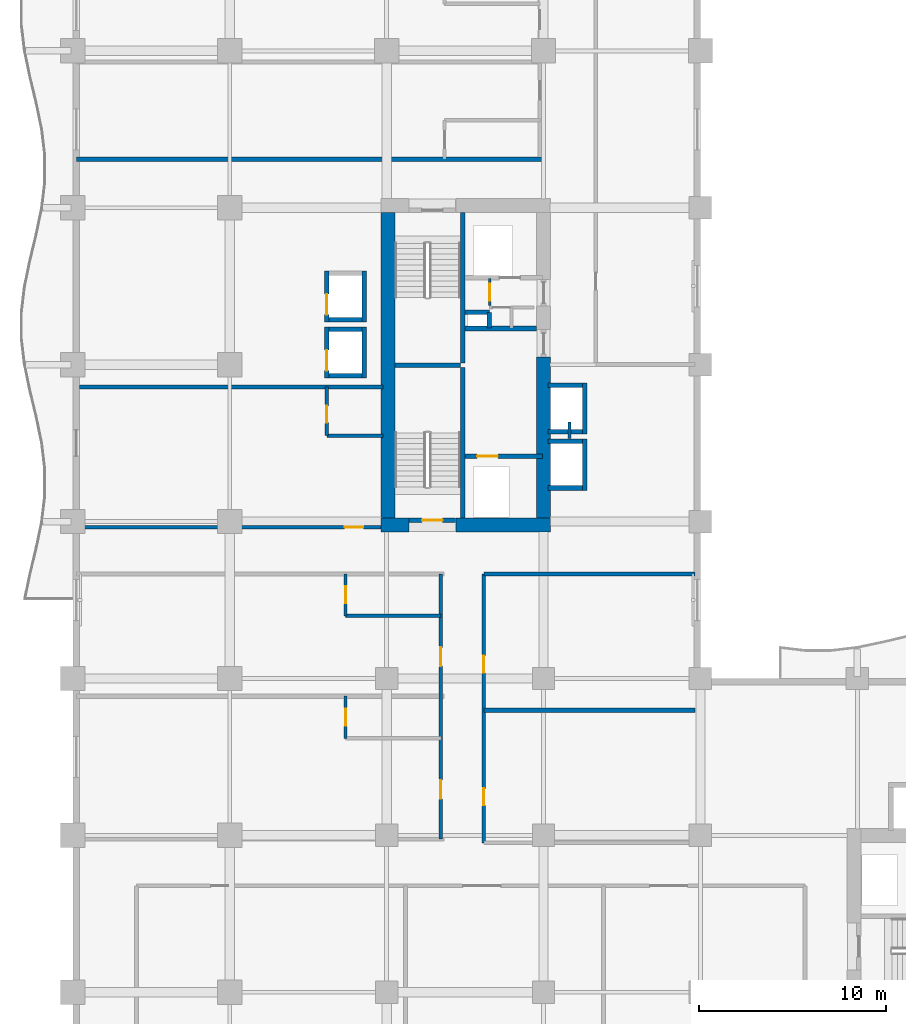
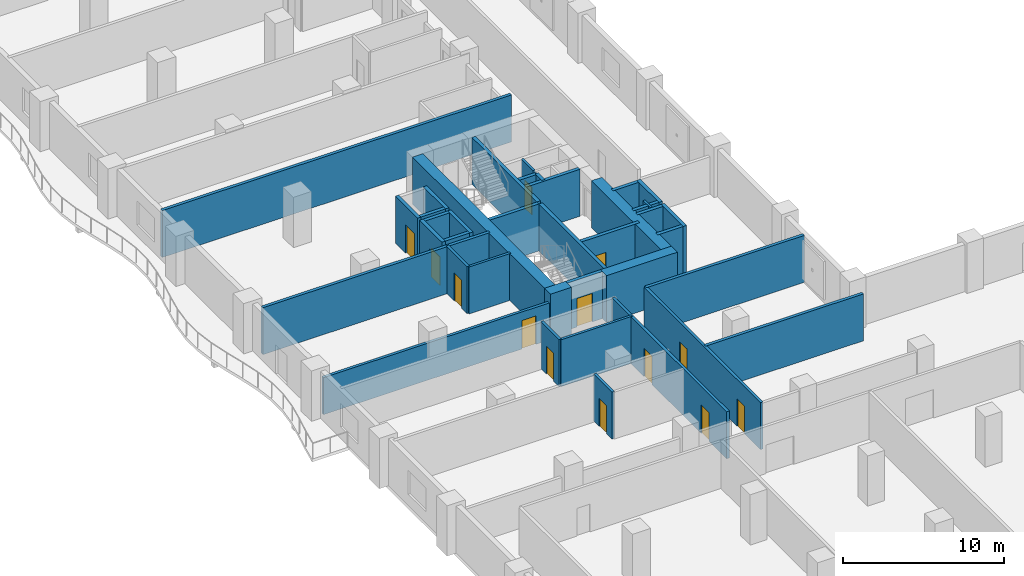
# One storey, part 7 of 18: 39 walls, 13 doors, 13 openings.
"""IFC4 building model written with IfcOpenShell, lengths in metres."""

from ifc_helpers import new_model, si_unit, direction, frame, frame_2d, origin, place, context, subcontext, project, spatial, rectangle, extrude, material, layer, layer_set, type_object, element, fill, save


model = new_model("IFC4")

# Units and contexts
model_context = context("Model", 3, precision=1e-05, world=origin(), true_north=direction((0.0, 1.0)))
body_context = subcontext(model_context, "Body", "Model", "MODEL_VIEW")
ifc_project = project(units=[si_unit("LENGTHUNIT", "METRE"), si_unit("AREAUNIT", "SQUARE_METRE"), si_unit("VOLUMEUNIT", "CUBIC_METRE"), si_unit("PLANEANGLEUNIT", "RADIAN"), si_unit("MASSUNIT", "GRAM", prefix="KILO")], contexts=[model_context])

# Site, building, storey
site_placement = place(None, origin())
site = spatial("IfcSite", under=ifc_project, at=site_placement, CompositionType="ELEMENT")
building_placement = place(site_placement, origin())
building = spatial("IfcBuilding", under=site, at=building_placement, Name="Koriwani Terraces Tower", CompositionType="ELEMENT")
storey_placement = place(building_placement, frame((0.0, 0.0, 145.60009765625)))
storey = spatial("IfcBuildingStorey", under=building, at=storey_placement, Name="L35", CompositionType="ELEMENT", Elevation=145.60009765625)

# Walls
ifc_material_1 = material(Name="Concrete C60/75", Category="concrete")
ifc_layer_1 = layer(ifc_material_1, 0.75, Name="Concrete C60/75")
ifc_layer_set_1 = layer_set([ifc_layer_1], Name="Concrete C60/75")
wall_type_1 = type_object("IfcWallType", Name="WALL_CORE_RC_750", PredefinedType="SHEAR", material=ifc_layer_set_1)
wall_1_placement = place(storey_placement, frame((16.5, 41.824951171875, 0.0), z_axis=(0.0, 0.0, 1.0), x_axis=(1.0, 0.0, 0.0)))
element("IfcWall", 1, at=wall_1_placement, inside=storey, type_object=wall_type_1, Name="L35 West Split Core Shear Wall S1", PredefinedType="SHEAR", context=body_context, shape_type="SweptSolid", body=[
    extrude(rectangle(XDim=1.5, YDim=0.75, at=frame_2d((0.75, 0.0))), origin(), (0.0, 0.0, 1.0), 3.5498046875),
])
wall_2_placement = place(storey_placement, frame((20.5, 41.824951171875, 0.0), z_axis=(0.0, 0.0, 1.0), x_axis=(1.0, 0.0, 0.0)))
element("IfcWall", 2, at=wall_2_placement, inside=storey, type_object=wall_type_1, Name="L35 West Split Core Shear Wall S2", PredefinedType="SHEAR", context=body_context, shape_type="SweptSolid", body=[
    extrude(rectangle(XDim=5.074951171875, YDim=0.75, at=frame_2d((2.53759765625, 0.0))), origin(), (0.0, 0.0, 1.0), 3.5498046875),
])
wall_3_placement = place(storey_placement, frame((16.875, 42.199951171875, 0.0), z_axis=(0.0, 0.0, 1.0), x_axis=(0.0, 1.0, 0.0)))
element("IfcWall", 3, at=wall_3_placement, inside=storey, type_object=wall_type_1, Name="L35 West Split Core Shear Wall W1", PredefinedType="SHEAR", context=body_context, shape_type="SweptSolid", body=[
    extrude(rectangle(XDim=16.35009765625, YDim=0.75, at=frame_2d((8.175048828125, 0.0))), origin(), (0.0, 0.0, 1.0), 3.5498046875),
])
wall_4_placement = place(storey_placement, frame((25.199951171875, 42.199951171875, 0.0), z_axis=(0.0, 0.0, 1.0), x_axis=(0.0, 1.0, 0.0)))
element("IfcWall", 4, at=wall_4_placement, inside=storey, type_object=wall_type_1, Name="L35 West Split Core Shear Wall E1", PredefinedType="SHEAR", context=body_context, shape_type="SweptSolid", body=[
    extrude(rectangle(XDim=8.60009765625, YDim=0.75, at=frame_2d((4.300048828125, 0.0))), origin(), (0.0, 0.0, 1.0), 3.5498046875),
])

# Wall, opening, door
ifc_material_2 = material(Name="Autoclaved Cellular Concrete Blockwork", Category="masonry")
ifc_layer_2 = layer(ifc_material_2, 0.199951171875, Name="Autoclaved Cellular Concrete Blockwork")
ifc_layer_set_2 = layer_set([ifc_layer_2], Name="Autoclaved Cellular Concrete Blockwork")
wall_type_2 = type_object("IfcWallType", Name="WALL_CORRIDOR_200", PredefinedType="PARTITIONING", material=ifc_layer_set_2)
wall_5_placement = place(storey_placement, frame((0.35009765625, 41.699951171875, 0.0), z_axis=(0.0, 0.0, 1.0), x_axis=(1.0, 0.0, 0.0)))
wall_5 = element("IfcWall", 5, at=wall_5_placement, inside=storey, type_object=wall_type_2, Name="L35 Interior Wall WREC-WS-L35", PredefinedType="PARTITIONING", context=body_context, shape_type="SweptSolid", body=[
    extrude(rectangle(XDim=16.25, YDim=0.199951171875, at=frame_2d((8.125, 0.0))), origin(), (0.0, 0.0, 1.0), 2.7998046875),
])
opening_1_placement = place(wall_5_placement, frame((14.199951171875, 0.0, 0.0)))
opening_1 = element("IfcOpeningElement", 6, at=opening_1_placement, cuts=wall_5, Name="Opening D-05", PredefinedType="OPENING", context=body_context, shape_type="SweptSolid", body=[
    extrude(rectangle(XDim=1.0, YDim=2.14990234375, at=frame_2d((0.5, 1.074951171875))), frame((0.0, 0.10986328125, 0.0), z_axis=(0.0, -1.0, 0.0), x_axis=(1.0, 0.0, 0.0)), (0.0, 0.0, 1.0), 0.219970703125),
])
ifc_material_3 = material(Name="Architectural Oak Fire Door", Category="wood")
door_type_1 = type_object("IfcDoorType", Name="DOOR_SUITE_ENTRY_1000X2150", OperationType="NOTDEFINED", PredefinedType="DOOR", material=ifc_material_3)
door_1_placement = place(opening_1_placement, origin())
door_1 = element("IfcDoor", 7, at=door_1_placement, inside=storey, type_object=door_type_1, Name="L35 Reclaimed West Suite Door", OperationType="SINGLE_SWING_LEFT", OverallHeight=2.14990234375, OverallWidth=1.0, PredefinedType="DOOR", context=body_context, shape_type="SweptSolid", body=[
    extrude(rectangle(XDim=1.0, YDim=2.14990234375, at=frame_2d((0.5, 1.074951171875))), frame((0.0, 0.02490234375, 0.0), z_axis=(0.0, -1.0, 0.0), x_axis=(1.0, 0.0, 0.0)), (0.0, 0.0, 1.0), 0.050048828125),
])
fill(opening_1, door_1)

# Wall, openings, doors
wall_6_placement = place(storey_placement, frame((22.0, 24.800048828125, 0.0), z_axis=(0.0, 0.0, 1.0), x_axis=(0.0, 1.0, 0.0)))
wall_6 = element("IfcWall", 8, at=wall_6_placement, inside=storey, type_object=wall_type_2, Name="L35 Interior Wall WIC2-W-L35", PredefinedType="PARTITIONING", context=body_context, shape_type="SweptSolid", body=[
    extrude(rectangle(XDim=14.39990234375, YDim=0.199951171875, at=frame_2d((7.199951171875, 0.0))), origin(), (0.0, 0.0, 1.0), 3.5498046875),
])
opening_2_placement = place(wall_6_placement, frame((2.0, 0.0, 0.0)))
opening_2 = element("IfcOpeningElement", 9, at=opening_2_placement, cuts=wall_6, Name="Opening D-06", PredefinedType="OPENING", context=body_context, shape_type="SweptSolid", body=[
    extrude(rectangle(XDim=0.919921875, YDim=2.10009765625, at=frame_2d((0.4599609375, 1.050048828125))), frame((0.0, 0.10986328125, 0.0), z_axis=(0.0, -1.0, 0.0), x_axis=(1.0, 0.0, 0.0)), (0.0, 0.0, 1.0), 0.219970703125),
])
opening_3_placement = place(wall_6_placement, frame((9.10009765625, 0.0, 0.0)))
opening_3 = element("IfcOpeningElement", 10, at=opening_3_placement, cuts=wall_6, Name="Opening D-06", PredefinedType="OPENING", context=body_context, shape_type="SweptSolid", body=[
    extrude(rectangle(XDim=0.919921875, YDim=2.10009765625, at=frame_2d((0.4599609375, 1.050048828125))), frame((0.0, 0.10986328125, 0.0), z_axis=(0.0, -1.0, 0.0), x_axis=(1.0, 0.0, 0.0)), (0.0, 0.0, 1.0), 0.219970703125),
])
door_type_2 = type_object("IfcDoorType", Name="DOOR_ROOM_INT_920X2100", OperationType="NOTDEFINED", PredefinedType="DOOR", material=ifc_material_3)
door_2_placement = place(opening_2_placement, origin())
door_2 = element("IfcDoor", 11, at=door_2_placement, inside=storey, type_object=door_type_2, Name="L35 Inner Court Salon Door", OperationType="SINGLE_SWING_LEFT", OverallHeight=2.10009765625, OverallWidth=0.919921875, PredefinedType="DOOR", context=body_context, shape_type="SweptSolid", body=[
    extrude(rectangle(XDim=0.919921875, YDim=2.10009765625, at=frame_2d((0.4599609375, 1.050048828125))), frame((0.0, 0.02490234375, 0.0), z_axis=(0.0, -1.0, 0.0), x_axis=(1.0, 0.0, 0.0)), (0.0, 0.0, 1.0), 0.050048828125),
])
fill(opening_2, door_2)
door_3_placement = place(opening_3_placement, origin())
door_3 = element("IfcDoor", 12, at=door_3_placement, inside=storey, type_object=door_type_2, Name="L35 Inner Court Media Room Door", OperationType="SINGLE_SWING_RIGHT", OverallHeight=2.10009765625, OverallWidth=0.919921875, PredefinedType="DOOR", context=body_context, shape_type="SweptSolid", body=[
    extrude(rectangle(XDim=0.919921875, YDim=2.10009765625, at=frame_2d((0.4599609375, 1.050048828125))), frame((0.0, 0.02490234375, 0.0), z_axis=(0.0, -1.0, 0.0), x_axis=(1.0, 0.0, 0.0)), (0.0, 0.0, 1.0), 0.050048828125),
])
fill(opening_3, door_3)

wall_7_placement = place(storey_placement, frame((19.699951171875, 25.0, 0.0), z_axis=(0.0, 0.0, 1.0), x_axis=(0.0, 1.0, 0.0)))
wall_7 = element("IfcWall", 13, at=wall_7_placement, inside=storey, type_object=wall_type_2, Name="L35 Interior Wall WCOR-L35-NW-0", PredefinedType="PARTITIONING", context=body_context, shape_type="SweptSolid", body=[
    extrude(rectangle(XDim=14.199951171875, YDim=0.199951171875, at=frame_2d((7.10009765625, 0.0))), origin(), (0.0, 0.0, 1.0), 3.5498046875),
])
opening_4_placement = place(wall_7_placement, frame((2.159912109375, 0.0, 0.0)))
opening_4 = element("IfcOpeningElement", 14, at=opening_4_placement, cuts=wall_7, Name="Opening D-05", PredefinedType="OPENING", context=body_context, shape_type="SweptSolid", body=[
    extrude(rectangle(XDim=1.0, YDim=2.14990234375, at=frame_2d((0.5, 1.074951171875))), frame((0.0, 0.10986328125, 0.0), z_axis=(0.0, -1.0, 0.0), x_axis=(1.0, 0.0, 0.0)), (0.0, 0.0, 1.0), 0.219970703125),
])
opening_5_placement = place(wall_7_placement, frame((9.260009765625, 0.0, 0.0)))
opening_5 = element("IfcOpeningElement", 15, at=opening_5_placement, cuts=wall_7, Name="Opening D-05", PredefinedType="OPENING", context=body_context, shape_type="SweptSolid", body=[
    extrude(rectangle(XDim=1.0, YDim=2.14990234375, at=frame_2d((0.5, 1.074951171875))), frame((0.0, 0.10986328125, 0.0), z_axis=(0.0, -1.0, 0.0), x_axis=(1.0, 0.0, 0.0)), (0.0, 0.0, 1.0), 0.219970703125),
])
door_4_placement = place(opening_4_placement, origin())
door_4 = element("IfcDoor", 16, at=door_4_placement, inside=storey, type_object=door_type_1, Name="Luxury Hotel Suite 35NW1 Entrance Door", OperationType="SINGLE_SWING_RIGHT", OverallHeight=2.14990234375, OverallWidth=1.0, PredefinedType="DOOR", context=body_context, shape_type="SweptSolid", body=[
    extrude(rectangle(XDim=1.0, YDim=2.14990234375, at=frame_2d((0.5, 1.074951171875))), frame((0.0, 0.02490234375, 0.0), z_axis=(0.0, -1.0, 0.0), x_axis=(1.0, 0.0, 0.0)), (0.0, 0.0, 1.0), 0.050048828125),
])
fill(opening_4, door_4)
door_5_placement = place(opening_5_placement, origin())
door_5 = element("IfcDoor", 17, at=door_5_placement, inside=storey, type_object=door_type_1, Name="Luxury Hotel Suite 35NW2 Entrance Door", OperationType="SINGLE_SWING_RIGHT", OverallHeight=2.14990234375, OverallWidth=1.0, PredefinedType="DOOR", context=body_context, shape_type="SweptSolid", body=[
    extrude(rectangle(XDim=1.0, YDim=2.14990234375, at=frame_2d((0.5, 1.074951171875))), frame((0.0, 0.02490234375, 0.0), z_axis=(0.0, -1.0, 0.0), x_axis=(1.0, 0.0, 0.0)), (0.0, 0.0, 1.0), 0.050048828125),
])
fill(opening_5, door_5)

# Walls
ifc_layer_3 = layer(ifc_material_2, 0.219970703125, Name="Autoclaved Cellular Concrete Blockwork")
ifc_layer_set_3 = layer_set([ifc_layer_3], Name="Autoclaved Cellular Concrete Blockwork")
wall_type_3 = type_object("IfcWallType", Name="WALL_DEMISING_220", PredefinedType="PARTITIONING", material=ifc_layer_set_3)
wall_8_placement = place(storey_placement, frame((0.35009765625, 49.199951171875, 0.0), z_axis=(0.0, 0.0, 1.0), x_axis=(1.0, 0.0, 0.0)))
element("IfcWall", 18, at=wall_8_placement, inside=storey, type_object=wall_type_3, Name="L35 Interior Wall WREC-WN-L35", PredefinedType="PARTITIONING", context=body_context, shape_type="SweptSolid", body=[
    extrude(rectangle(XDim=16.25, YDim=0.219970703125, at=frame_2d((8.125, 0.0))), origin(), (0.0, 0.0, 1.0), 3.5498046875),
])
for number, where, z_axis, x_axis, name in (
    (19, (22.0, 31.89990234375, 0.0), (0.0, 0.0, 1.0), (1.0, 0.0, 0.0), "L35 Interior Wall WIC2-M-L35"),
    (20, (22.0, 39.199951171875, 0.0), (0.0, 0.0, 1.0), (1.0, 0.0, 0.0), "L35 Interior Wall WIC2-N-L35"),
):
    element("IfcWall", number, at=place(storey_placement, frame(where, z_axis=z_axis, x_axis=x_axis)), inside=storey, type_object=wall_type_3, Name=name, PredefinedType="PARTITIONING", context=body_context, shape_type="SweptSolid", body=[
        extrude(rectangle(XDim=11.300048828125, YDim=0.219970703125, at=frame_2d((5.64990234375, 0.0))), origin(), (0.0, 0.0, 1.0), 3.5498046875),
    ])
wall_9_placement = place(storey_placement, frame((0.199951171875, 61.39990234375, 0.0), z_axis=(0.0, 0.0, 1.0), x_axis=(1.0, 0.0, 0.0)))
element("IfcWall", 21, at=wall_9_placement, inside=storey, type_object=wall_type_3, Name="L35 Interior Wall WDEM-L35-NE-0", PredefinedType="PARTITIONING", context=body_context, shape_type="SweptSolid", body=[
    extrude(rectangle(XDim=24.97998046875, YDim=0.219970703125, at=frame_2d((12.489990234375, 0.0))), origin(), (0.0, 0.0, 1.0), 3.5498046875),
])
ifc_material_4 = material(Name="Fire-Rated Acoustic Gypsum Partition", Category="masonry")
ifc_layer_4 = layer(ifc_material_4, 0.179931640625, Name="Fire-Rated Acoustic Gypsum Partition")
ifc_layer_set_4 = layer_set([ifc_layer_4], Name="Fire-Rated Acoustic Gypsum Partition")
wall_type_4 = type_object("IfcWallType", Name="WALL_PLUMBING_180", PredefinedType="PLUMBINGWALL", material=ifc_layer_set_4)
wall_10_placement = place(storey_placement, frame((13.60009765625, 46.60009765625, 0.0), z_axis=(0.0, 0.0, 1.0), x_axis=(1.0, 0.0, 0.0)))
element("IfcWall", 22, at=wall_10_placement, inside=storey, type_object=wall_type_4, Name="L35 Interior Wall WREC-WB1-L35", PredefinedType="PLUMBINGWALL", context=body_context, shape_type="SweptSolid", body=[
    extrude(rectangle(XDim=3.0, YDim=0.179931640625, at=frame_2d((1.5, 0.0))), origin(), (0.0, 0.0, 1.0), 3.5498046875),
])

# Wall, opening, door
wall_11_placement = place(storey_placement, frame((13.60009765625, 46.60009765625, 0.0), z_axis=(0.0, 0.0, 1.0), x_axis=(0.0, 1.0, 0.0)))
wall_11 = element("IfcWall", 23, at=wall_11_placement, inside=storey, type_object=wall_type_4, Name="L35 Interior Wall WREC-WB2-L35", PredefinedType="PLUMBINGWALL", context=body_context, shape_type="SweptSolid", body=[
    extrude(rectangle(XDim=2.599853515625, YDim=0.179931640625, at=frame_2d((1.2998046875, 0.0))), origin(), (0.0, 0.0, 1.0), 3.5498046875),
])
opening_6_placement = place(wall_11_placement, frame((0.699951171875, 0.0, 0.0)))
opening_6 = element("IfcOpeningElement", 24, at=opening_6_placement, cuts=wall_11, Name="Opening D-07", PredefinedType="OPENING", context=body_context, shape_type="SweptSolid", body=[
    extrude(rectangle(XDim=0.89990234375, YDim=2.10009765625, at=frame_2d((0.449951171875, 1.050048828125))), frame((0.0, 0.10009765625, 0.0), z_axis=(0.0, -1.0, 0.0), x_axis=(1.0, 0.0, 0.0)), (0.0, 0.0, 1.0), 0.199951171875),
])
door_type_3 = type_object("IfcDoorType", Name="DOOR_BATH_INT_900X2100", OperationType="NOTDEFINED", PredefinedType="DOOR", material=ifc_material_3)
door_6_placement = place(opening_6_placement, origin())
door_6 = element("IfcDoor", 25, at=door_6_placement, inside=storey, type_object=door_type_3, Name="L35 Reclaimed Suite En-Suite Door", OperationType="SINGLE_SWING_RIGHT", OverallHeight=2.10009765625, OverallWidth=0.89990234375, PredefinedType="DOOR", context=body_context, shape_type="SweptSolid", body=[
    extrude(rectangle(XDim=0.89990234375, YDim=2.10009765625, at=frame_2d((0.449951171875, 1.050048828125))), frame((0.0, 0.02490234375, 0.0), z_axis=(0.0, -1.0, 0.0), x_axis=(1.0, 0.0, 0.0)), (0.0, 0.0, 1.0), 0.050048828125),
])
fill(opening_6, door_6)

wall_12_placement = place(storey_placement, frame((14.60009765625, 30.39990234375, 0.0), z_axis=(0.0, 0.0, 1.0), x_axis=(0.0, 1.0, 0.0)))
wall_12 = element("IfcWall", 26, at=wall_12_placement, inside=storey, type_object=wall_type_4, Name="L35 Interior Wall WBTH1-L35-NW-0", PredefinedType="PLUMBINGWALL", context=body_context, shape_type="SweptSolid", body=[
    extrude(rectangle(XDim=2.25, YDim=0.179931640625, at=frame_2d((1.125, 0.0))), origin(), (0.0, 0.0, 1.0), 3.5498046875),
])
opening_7_placement = place(wall_12_placement, frame((0.675048828125, 0.0, 0.0)))
opening_7 = element("IfcOpeningElement", 27, at=opening_7_placement, cuts=wall_12, Name="Opening D-07", PredefinedType="OPENING", context=body_context, shape_type="SweptSolid", body=[
    extrude(rectangle(XDim=0.89990234375, YDim=2.10009765625, at=frame_2d((0.449951171875, 1.050048828125))), frame((0.0, 0.10009765625, 0.0), z_axis=(0.0, -1.0, 0.0), x_axis=(1.0, 0.0, 0.0)), (0.0, 0.0, 1.0), 0.199951171875),
])
door_7_placement = place(opening_7_placement, origin())
door_7 = element("IfcDoor", 28, at=door_7_placement, inside=storey, type_object=door_type_3, Name="En-Suite Bathroom 35NW1 Door", OperationType="SINGLE_SWING_LEFT", OverallHeight=2.10009765625, OverallWidth=0.89990234375, PredefinedType="DOOR", context=body_context, shape_type="SweptSolid", body=[
    extrude(rectangle(XDim=0.89990234375, YDim=2.10009765625, at=frame_2d((0.449951171875, 1.050048828125))), frame((0.0, 0.02490234375, 0.0), z_axis=(0.0, -1.0, 0.0), x_axis=(1.0, 0.0, 0.0)), (0.0, 0.0, 1.0), 0.050048828125),
])
fill(opening_7, door_7)

wall_13_placement = place(storey_placement, frame((14.60009765625, 36.949951171875, 0.0), z_axis=(0.0, 0.0, 1.0), x_axis=(0.0, 1.0, 0.0)))
wall_13 = element("IfcWall", 29, at=wall_13_placement, inside=storey, type_object=wall_type_4, Name="L35 Interior Wall WBTH1-L35-NW-1", PredefinedType="PLUMBINGWALL", context=body_context, shape_type="SweptSolid", body=[
    extrude(rectangle(XDim=2.25, YDim=0.179931640625, at=frame_2d((1.125, 0.0))), origin(), (0.0, 0.0, 1.0), 3.5498046875),
])
opening_8_placement = place(wall_13_placement, frame((0.675048828125, 0.0, 0.0)))
opening_8 = element("IfcOpeningElement", 30, at=opening_8_placement, cuts=wall_13, Name="Opening D-07", PredefinedType="OPENING", context=body_context, shape_type="SweptSolid", body=[
    extrude(rectangle(XDim=0.89990234375, YDim=2.10009765625, at=frame_2d((0.449951171875, 1.050048828125))), frame((0.0, 0.10009765625, 0.0), z_axis=(0.0, -1.0, 0.0), x_axis=(1.0, 0.0, 0.0)), (0.0, 0.0, 1.0), 0.199951171875),
])
door_8_placement = place(opening_8_placement, origin())
door_8 = element("IfcDoor", 31, at=door_8_placement, inside=storey, type_object=door_type_3, Name="En-Suite Bathroom 35NW2 Door", OperationType="SINGLE_SWING_LEFT", OverallHeight=2.10009765625, OverallWidth=0.89990234375, PredefinedType="DOOR", context=body_context, shape_type="SweptSolid", body=[
    extrude(rectangle(XDim=0.89990234375, YDim=2.10009765625, at=frame_2d((0.449951171875, 1.050048828125))), frame((0.0, 0.02490234375, 0.0), z_axis=(0.0, -1.0, 0.0), x_axis=(1.0, 0.0, 0.0)), (0.0, 0.0, 1.0), 0.050048828125),
])
fill(opening_8, door_8)

# Walls
wall_14_placement = place(storey_placement, frame((14.60009765625, 36.949951171875, 0.0), z_axis=(0.0, 0.0, 1.0), x_axis=(1.0, 0.0, 0.0)))
element("IfcWall", 32, at=wall_14_placement, inside=storey, type_object=wall_type_4, Name="L35 Interior Wall WBTH2-L35-NW-1", PredefinedType="PLUMBINGWALL", context=body_context, shape_type="SweptSolid", body=[
    extrude(rectangle(XDim=5.099853515625, YDim=0.179931640625, at=frame_2d((2.5498046875, 0.0))), origin(), (0.0, 0.0, 1.0), 3.5498046875),
])
ifc_material_5 = material(Name="Concrete C40/50", Category="concrete")
ifc_layer_5 = layer(ifc_material_5, 0.25, Name="Concrete C40/50")
ifc_layer_set_5 = layer_set([ifc_layer_5], Name="Concrete C40/50")
wall_type_5 = type_object("IfcWallType", Name="WALL_SHAFT_RATED_250", PredefinedType="SOLIDWALL", material=ifc_layer_set_5)
for number, where, z_axis, x_axis, name in (
    (33, (20.875, 42.199951171875, 0.0), (0.0, 0.0, 1.0), (0.0, 1.0, 0.0), "L35 West Split Core Web Wall MID1"),
    (34, (20.875, 50.5, 0.0), (0.0, 0.0, 1.0), (0.0, 1.0, 0.0), "L35 West Split Core Web Wall MID2"),
):
    element("IfcWall", number, at=place(storey_placement, frame(where, z_axis=z_axis, x_axis=x_axis)), inside=storey, type_object=wall_type_5, Name=name, PredefinedType="SOLIDWALL", context=body_context, shape_type="SweptSolid", body=[
        extrude(rectangle(XDim=8.050048828125, YDim=0.25, at=frame_2d((4.02490234375, 0.0))), origin(), (0.0, 0.0, 1.0), 3.5498046875),
    ])
wall_15_placement = place(storey_placement, frame((17.25, 50.375, 0.0), z_axis=(0.0, 0.0, 1.0), x_axis=(1.0, 0.0, 0.0)))
element("IfcWall", 35, at=wall_15_placement, inside=storey, type_object=wall_type_5, Name="L35 West Split Core Stair Dividing Wall", PredefinedType="SOLIDWALL", context=body_context, shape_type="SweptSolid", body=[
    extrude(rectangle(XDim=3.5, YDim=0.25, at=frame_2d((1.75, 0.0))), origin(), (0.0, 0.0, 1.0), 3.5498046875),
])

# Wall, opening, door
wall_16_placement = place(storey_placement, frame((18.0, 42.074951171875, 0.0), z_axis=(0.0, 0.0, 1.0), x_axis=(1.0, 0.0, 0.0)))
wall_16 = element("IfcWall", 36, at=wall_16_placement, inside=storey, type_object=wall_type_5, Name="L35 Interior Wall WIN-CW-L35-STS", PredefinedType="SOLIDWALL", context=body_context, shape_type="SweptSolid", body=[
    extrude(rectangle(XDim=2.5, YDim=0.25, at=frame_2d((1.25, 0.0))), origin(), (0.0, 0.0, 1.0), 3.5498046875),
])
opening_9_placement = place(wall_16_placement, frame((0.699951171875, 0.0, 0.0)))
opening_9 = element("IfcOpeningElement", 37, at=opening_9_placement, cuts=wall_16, Name="Opening D-03", PredefinedType="OPENING", context=body_context, shape_type="SweptSolid", body=[
    extrude(rectangle(XDim=1.10009765625, YDim=2.14990234375, at=frame_2d((0.550048828125, 1.074951171875))), frame((0.0, 0.135009765625, 0.0), z_axis=(0.0, -1.0, 0.0), x_axis=(1.0, 0.0, 0.0)), (0.0, 0.0, 1.0), 0.27001953125),
])
ifc_material_6 = material(Name="Steel ASTM A572 Grade 50", Category="steel")
door_type_4 = type_object("IfcDoorType", Name="DOOR_STAIR_FIRE_1100X2150", OperationType="NOTDEFINED", PredefinedType="DOOR", material=ifc_material_6)
door_9_placement = place(opening_9_placement, origin())
door_9 = element("IfcDoor", 38, at=door_9_placement, inside=storey, type_object=door_type_4, Name="L35 Exit Stair ST-W1 Door", OperationType="SINGLE_SWING_LEFT", OverallHeight=2.14990234375, OverallWidth=1.10009765625, PredefinedType="DOOR", context=body_context, shape_type="SweptSolid", body=[
    extrude(rectangle(XDim=1.10009765625, YDim=2.14990234375, at=frame_2d((0.550048828125, 1.074951171875))), frame((0.0, 0.02490234375, 0.0), z_axis=(0.0, -1.0, 0.0), x_axis=(1.0, 0.0, 0.0)), (0.0, 0.0, 1.0), 0.050048828125),
])
fill(opening_9, door_9)

wall_17_placement = place(storey_placement, frame((21.0, 45.5, 0.0), z_axis=(0.0, 0.0, 1.0), x_axis=(1.0, 0.0, 0.0)))
wall_17 = element("IfcWall", 39, at=wall_17_placement, inside=storey, type_object=wall_type_5, Name="L35 Interior Wall WIN-CW-L35-FE", PredefinedType="SOLIDWALL", context=body_context, shape_type="SweptSolid", body=[
    extrude(rectangle(XDim=4.14990234375, YDim=0.25, at=frame_2d((2.074951171875, 0.0))), origin(), (0.0, 0.0, 1.0), 3.5498046875),
])
opening_10_placement = place(wall_17_placement, frame((0.64990234375, 0.0, 0.0)))
opening_10 = element("IfcOpeningElement", 40, at=opening_10_placement, cuts=wall_17, Name="Opening LD-01", PredefinedType="OPENING", context=body_context, shape_type="SweptSolid", body=[
    extrude(rectangle(XDim=1.10009765625, YDim=2.14990234375, at=frame_2d((0.550048828125, 1.074951171875))), frame((0.0, 0.135009765625, 0.0), z_axis=(0.0, -1.0, 0.0), x_axis=(1.0, 0.0, 0.0)), (0.0, 0.0, 1.0), 0.27001953125),
])
door_type_5 = type_object("IfcDoorType", Name="DOOR_LIFT_LANDING_1100X2200", OperationType="NOTDEFINED", PredefinedType="DOOR", material=ifc_material_6)
door_10_placement = place(opening_10_placement, origin())
door_10 = element("IfcDoor", 41, at=door_10_placement, inside=storey, type_object=door_type_5, Name="L35 Firefighting Lift FE-01 Landing Door", OperationType="SLIDING_TO_LEFT", OverallHeight=2.14990234375, OverallWidth=1.10009765625, PredefinedType="DOOR", context=body_context, shape_type="SweptSolid", body=[
    extrude(rectangle(XDim=1.10009765625, YDim=2.14990234375, at=frame_2d((0.550048828125, 1.074951171875))), frame((0.0, 0.02490234375, 0.0), z_axis=(0.0, -1.0, 0.0), x_axis=(1.0, 0.0, 0.0)), (0.0, 0.0, 1.0), 0.050048828125),
])
fill(opening_10, door_10)

# Walls
wall_18_placement = place(storey_placement, frame((21.0, 52.340087890625, 0.0), z_axis=(0.0, 0.0, 1.0), x_axis=(1.0, 0.0, 0.0)))
element("IfcWall", 42, at=wall_18_placement, inside=storey, type_object=wall_type_5, Name="L35 Interior Wall WIN-CW-L35-FFN", PredefinedType="SOLIDWALL", context=body_context, shape_type="SweptSolid", body=[
    extrude(rectangle(XDim=3.824951171875, YDim=0.25, at=frame_2d((1.91259765625, 0.0))), origin(), (0.0, 0.0, 1.0), 3.5498046875),
])
wall_19_placement = place(storey_placement, frame((21.0, 53.199951171875, 0.0), z_axis=(0.0, 0.0, 1.0), x_axis=(1.0, 0.0, 0.0)))
element("IfcWall", 43, at=wall_19_placement, inside=storey, type_object=wall_type_5, Name="L35 Interior Wall WIN-CW-L35-RS1", PredefinedType="SOLIDWALL", context=body_context, shape_type="SweptSolid", body=[
    extrude(rectangle(XDim=1.300048828125, YDim=0.25, at=frame_2d((0.64990234375, 0.0))), origin(), (0.0, 0.0, 1.0), 3.5498046875),
])
wall_20_placement = place(storey_placement, frame((22.300048828125, 52.360107421875, 0.0), z_axis=(0.0, 0.0, 1.0), x_axis=(0.0, 1.0, 0.0)))
element("IfcWall", 44, at=wall_20_placement, inside=storey, type_object=wall_type_5, Name="L35 Interior Wall WIN-CW-L35-RS2", PredefinedType="SOLIDWALL", context=body_context, shape_type="SweptSolid", body=[
    extrude(rectangle(XDim=0.83984375, YDim=0.25, at=frame_2d((0.419921875, 0.0))), origin(), (0.0, 0.0, 1.0), 3.5498046875),
])

# Wall, opening, door
wall_21_placement = place(storey_placement, frame((13.60009765625, 49.675048828125, 0.0), z_axis=(0.0, 0.0, 1.0), x_axis=(0.0, 1.0, 0.0)))
wall_21 = element("IfcWall", 45, at=wall_21_placement, inside=storey, type_object=wall_type_5, Name="L35 Interior Wall WIN-LF-PE-M1-L35-F", PredefinedType="SOLIDWALL", context=body_context, shape_type="SweptSolid", body=[
    extrude(rectangle(XDim=2.75, YDim=0.25, at=frame_2d((1.375, 0.0))), origin(), (0.0, 0.0, 1.0), 3.5498046875),
])
opening_11_placement = place(wall_21_placement, frame((0.39990234375, 0.0, 0.0)))
opening_11 = element("IfcOpeningElement", 46, at=opening_11_placement, cuts=wall_21, Name="Opening LD-01", PredefinedType="OPENING", context=body_context, shape_type="SweptSolid", body=[
    extrude(rectangle(XDim=1.10009765625, YDim=2.14990234375, at=frame_2d((0.550048828125, 1.074951171875))), frame((0.0, 0.135009765625, 0.0), z_axis=(0.0, -1.0, 0.0), x_axis=(1.0, 0.0, 0.0)), (0.0, 0.0, 1.0), 0.27001953125),
])
door_11_placement = place(opening_11_placement, origin())
door_11 = element("IfcDoor", 47, at=door_11_placement, inside=storey, type_object=door_type_5, Name="L35 Passenger Lift PE-M1 Landing Door", OperationType="SLIDING_TO_LEFT", OverallHeight=2.14990234375, OverallWidth=1.10009765625, PredefinedType="DOOR", context=body_context, shape_type="SweptSolid", body=[
    extrude(rectangle(XDim=1.10009765625, YDim=2.14990234375, at=frame_2d((0.550048828125, 1.074951171875))), frame((0.0, 0.02490234375, 0.0), z_axis=(0.0, -1.0, 0.0), x_axis=(1.0, 0.0, 0.0)), (0.0, 0.0, 1.0), 0.050048828125),
])
fill(opening_11, door_11)

# Walls
wall_22_placement = place(storey_placement, frame((15.60009765625, 49.675048828125, 0.0), z_axis=(0.0, 0.0, 1.0), x_axis=(0.0, 1.0, 0.0)))
element("IfcWall", 48, at=wall_22_placement, inside=storey, type_object=wall_type_5, Name="L35 Interior Wall WIN-LF-PE-M1-L35-B", PredefinedType="SOLIDWALL", context=body_context, shape_type="SweptSolid", body=[
    extrude(rectangle(XDim=2.75, YDim=0.25, at=frame_2d((1.375, 0.0))), origin(), (0.0, 0.0, 1.0), 3.5498046875),
])
for number, where, z_axis, x_axis, name in (
    (49, (13.72509765625, 49.800048828125, 0.0), (0.0, 0.0, 1.0), (1.0, 0.0, 0.0), "L35 Interior Wall WIN-LF-PE-M1-L35-S"),
    (50, (13.72509765625, 52.300048828125, 0.0), (0.0, 0.0, 1.0), (1.0, 0.0, 0.0), "L35 Interior Wall WIN-LF-PE-M1-L35-N"),
):
    element("IfcWall", number, at=place(storey_placement, frame(where, z_axis=z_axis, x_axis=x_axis)), inside=storey, type_object=wall_type_5, Name=name, PredefinedType="SOLIDWALL", context=body_context, shape_type="SweptSolid", body=[
        extrude(rectangle(XDim=1.75, YDim=0.25, at=frame_2d((0.875, 0.0))), origin(), (0.0, 0.0, 1.0), 3.5498046875),
    ])

# Wall, opening, door
wall_23_placement = place(storey_placement, frame((13.60009765625, 52.675048828125, 0.0), z_axis=(0.0, 0.0, 1.0), x_axis=(0.0, 1.0, 0.0)))
wall_23 = element("IfcWall", 51, at=wall_23_placement, inside=storey, type_object=wall_type_5, Name="L35 Interior Wall WIN-LF-PE-M2-L35-F", PredefinedType="SOLIDWALL", context=body_context, shape_type="SweptSolid", body=[
    extrude(rectangle(XDim=2.75, YDim=0.25, at=frame_2d((1.375, 0.0))), origin(), (0.0, 0.0, 1.0), 3.5498046875),
])
opening_12_placement = place(wall_23_placement, frame((0.39990234375, 0.0, 0.0)))
opening_12 = element("IfcOpeningElement", 52, at=opening_12_placement, cuts=wall_23, Name="Opening LD-01", PredefinedType="OPENING", context=body_context, shape_type="SweptSolid", body=[
    extrude(rectangle(XDim=1.10009765625, YDim=2.14990234375, at=frame_2d((0.550048828125, 1.074951171875))), frame((0.0, 0.135009765625, 0.0), z_axis=(0.0, -1.0, 0.0), x_axis=(1.0, 0.0, 0.0)), (0.0, 0.0, 1.0), 0.27001953125),
])
door_12_placement = place(opening_12_placement, origin())
door_12 = element("IfcDoor", 53, at=door_12_placement, inside=storey, type_object=door_type_5, Name="L35 Passenger Lift PE-M2 Landing Door", OperationType="SLIDING_TO_LEFT", OverallHeight=2.14990234375, OverallWidth=1.10009765625, PredefinedType="DOOR", context=body_context, shape_type="SweptSolid", body=[
    extrude(rectangle(XDim=1.10009765625, YDim=2.14990234375, at=frame_2d((0.550048828125, 1.074951171875))), frame((0.0, 0.02490234375, 0.0), z_axis=(0.0, -1.0, 0.0), x_axis=(1.0, 0.0, 0.0)), (0.0, 0.0, 1.0), 0.050048828125),
])
fill(opening_12, door_12)

# Walls
wall_24_placement = place(storey_placement, frame((15.60009765625, 52.675048828125, 0.0), z_axis=(0.0, 0.0, 1.0), x_axis=(0.0, 1.0, 0.0)))
element("IfcWall", 54, at=wall_24_placement, inside=storey, type_object=wall_type_5, Name="L35 Interior Wall WIN-LF-PE-M2-L35-B", PredefinedType="SOLIDWALL", context=body_context, shape_type="SweptSolid", body=[
    extrude(rectangle(XDim=2.75, YDim=0.25, at=frame_2d((1.375, 0.0))), origin(), (0.0, 0.0, 1.0), 3.5498046875),
])
wall_25_placement = place(storey_placement, frame((13.72509765625, 52.800048828125, 0.0), z_axis=(0.0, 0.0, 1.0), x_axis=(1.0, 0.0, 0.0)))
element("IfcWall", 55, at=wall_25_placement, inside=storey, type_object=wall_type_5, Name="L35 Interior Wall WIN-LF-PE-M2-L35-S", PredefinedType="SOLIDWALL", context=body_context, shape_type="SweptSolid", body=[
    extrude(rectangle(XDim=1.75, YDim=0.25, at=frame_2d((0.875, 0.0))), origin(), (0.0, 0.0, 1.0), 3.5498046875),
])
wall_26_placement = place(storey_placement, frame((27.39990234375, 43.675048828125, 0.0), z_axis=(0.0, 0.0, 1.0), x_axis=(0.0, 1.0, 0.0)))
element("IfcWall", 56, at=wall_26_placement, inside=storey, type_object=wall_type_5, Name="L35 Interior Wall WIN-LF-PE-H1-L35-F", PredefinedType="SOLIDWALL", context=body_context, shape_type="SweptSolid", body=[
    extrude(rectangle(XDim=2.75, YDim=0.25, at=frame_2d((1.375, 0.0))), origin(), (0.0, 0.0, 1.0), 3.5498046875),
])
for number, where, z_axis, x_axis, name in (
    (57, (25.449951171875, 43.800048828125, 0.0), (0.0, 0.0, 1.0), (1.0, 0.0, 0.0), "L35 Interior Wall WIN-LF-PE-H1-L35-S"),
    (58, (25.449951171875, 46.300048828125, 0.0), (0.0, 0.0, 1.0), (1.0, 0.0, 0.0), "L35 Interior Wall WIN-LF-PE-H1-L35-N"),
):
    element("IfcWall", number, at=place(storey_placement, frame(where, z_axis=z_axis, x_axis=x_axis)), inside=storey, type_object=wall_type_5, Name=name, PredefinedType="SOLIDWALL", context=body_context, shape_type="SweptSolid", body=[
        extrude(rectangle(XDim=1.824951171875, YDim=0.25, at=frame_2d((0.91259765625, 0.0))), origin(), (0.0, 0.0, 1.0), 3.5498046875),
    ])
wall_27_placement = place(storey_placement, frame((27.39990234375, 46.675048828125, 0.0), z_axis=(0.0, 0.0, 1.0), x_axis=(0.0, 1.0, 0.0)))
element("IfcWall", 59, at=wall_27_placement, inside=storey, type_object=wall_type_5, Name="L35 Interior Wall WIN-LF-PE-H2-L35-F", PredefinedType="SOLIDWALL", context=body_context, shape_type="SweptSolid", body=[
    extrude(rectangle(XDim=2.75, YDim=0.25, at=frame_2d((1.375, 0.0))), origin(), (0.0, 0.0, 1.0), 3.5498046875),
])
for number, where, z_axis, x_axis, name in (
    (60, (25.449951171875, 46.800048828125, 0.0), (0.0, 0.0, 1.0), (1.0, 0.0, 0.0), "L35 Interior Wall WIN-LF-PE-H2-L35-S"),
    (61, (25.449951171875, 49.300048828125, 0.0), (0.0, 0.0, 1.0), (1.0, 0.0, 0.0), "L35 Interior Wall WIN-LF-PE-H2-L35-N"),
):
    element("IfcWall", number, at=place(storey_placement, frame(where, z_axis=z_axis, x_axis=x_axis)), inside=storey, type_object=wall_type_5, Name=name, PredefinedType="SOLIDWALL", context=body_context, shape_type="SweptSolid", body=[
        extrude(rectangle(XDim=1.824951171875, YDim=0.25, at=frame_2d((0.91259765625, 0.0))), origin(), (0.0, 0.0, 1.0), 3.5498046875),
    ])

# Wall, opening, door
ifc_layer_6 = layer(ifc_material_4, 0.159912109375, Name="Fire-Rated Acoustic Gypsum Partition")
ifc_layer_set_6 = layer_set([ifc_layer_6], Name="Fire-Rated Acoustic Gypsum Partition")
wall_type_6 = type_object("IfcWallType", Name="WALL_SUITE_160", PredefinedType="PARTITIONING", material=ifc_layer_set_6)
wall_28_placement = place(storey_placement, frame((22.320068359375, 53.56005859375, 0.0), z_axis=(0.0, 0.0, 1.0), x_axis=(0.0, 1.0, 0.0)))
wall_28 = element("IfcWall", 62, at=wall_28_placement, inside=storey, type_object=wall_type_6, Name="L35 Interior Wall WIN-CW-L35-SV2A", PredefinedType="PARTITIONING", context=body_context, shape_type="SweptSolid", body=[
    extrude(rectangle(XDim=1.43994140625, YDim=0.159912109375, at=frame_2d((0.719970703125, 0.0))), origin(), (0.0, 0.0, 1.0), 3.5498046875),
])
opening_13_placement = place(wall_28_placement, frame((0.260009765625, 0.0, 0.0)))
opening_13 = element("IfcOpeningElement", 63, at=opening_13_placement, cuts=wall_28, Name="Opening D-07", PredefinedType="OPENING", context=body_context, shape_type="SweptSolid", body=[
    extrude(rectangle(XDim=0.89990234375, YDim=2.10009765625, at=frame_2d((0.449951171875, 1.050048828125))), frame((0.0, 0.08984375, 0.0), z_axis=(0.0, -1.0, 0.0), x_axis=(1.0, 0.0, 0.0)), (0.0, 0.0, 1.0), 0.179931640625),
])
door_13_placement = place(opening_13_placement, origin())
door_13 = element("IfcDoor", 64, at=door_13_placement, inside=storey, type_object=door_type_3, Name="L35 West Meter Room Door", OperationType="SINGLE_SWING_LEFT", OverallHeight=2.10009765625, OverallWidth=0.89990234375, PredefinedType="DOOR", context=body_context, shape_type="SweptSolid", body=[
    extrude(rectangle(XDim=0.89990234375, YDim=2.10009765625, at=frame_2d((0.449951171875, 1.050048828125))), frame((0.0, 0.02490234375, 0.0), z_axis=(0.0, -1.0, 0.0), x_axis=(1.0, 0.0, 0.0)), (0.0, 0.0, 1.0), 0.050048828125),
])
fill(opening_13, door_13)

# Wall
wall_29_placement = place(storey_placement, frame((26.60009765625, 46.4599609375, 0.0), z_axis=(0.0, 0.0, 1.0), x_axis=(0.0, 1.0, 0.0)))
element("IfcWall", 65, at=wall_29_placement, inside=storey, type_object=wall_type_6, Name="L35 Interior Wall WIN-LF-PEH12-MID-L35", PredefinedType="PARTITIONING", context=body_context, shape_type="SweptSolid", body=[
    extrude(rectangle(XDim=0.880126953125, YDim=0.159912109375, at=frame_2d((0.43994140625, 0.0))), origin(), (0.0, 0.0, 1.0), 3.5498046875),
])

save(model, "model.ifc")
